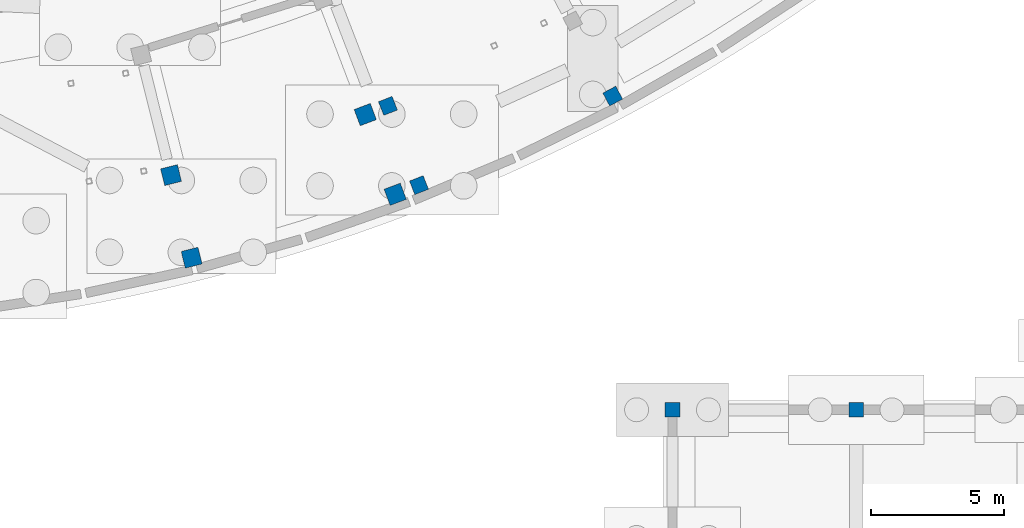
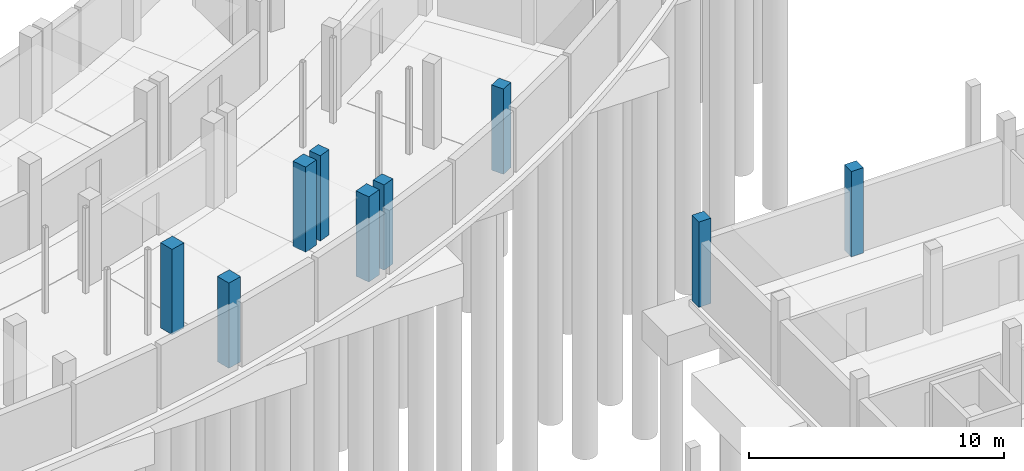
# One storey, part 18 of 58: 9 columns.
"""IFC4 building model written with IfcOpenShell, lengths in metres."""

from ifc_helpers import new_model, si_unit, direction, frame, origin, origin_2d, place, context, subcontext, project, spatial, rectangle, extrude, material, material_profile, profile_set, type_object, element, save


model = new_model("IFC4")

# Units and contexts
model_context = context("Model", 3, precision=1e-05, world=origin(), true_north=direction((0.0, 1.0)))
body_context = subcontext(model_context, "Body", "Model", "MODEL_VIEW")
ifc_project = project(units=[si_unit("LENGTHUNIT", "METRE"), si_unit("AREAUNIT", "SQUARE_METRE"), si_unit("VOLUMEUNIT", "CUBIC_METRE"), si_unit("PLANEANGLEUNIT", "RADIAN"), si_unit("MASSUNIT", "GRAM", prefix="KILO")], contexts=[model_context])

# Site, building, storey
site_placement = place(None, origin())
site = spatial("IfcSite", under=ifc_project, at=site_placement, CompositionType="ELEMENT")
building_placement = place(site_placement, origin())
building = spatial("IfcBuilding", under=site, at=building_placement, Name="Caldaven Crescent School", CompositionType="ELEMENT")
storey_placement = place(building_placement, frame((0.0, 0.0, -4.080078125)))
storey = spatial("IfcBuildingStorey", under=building, at=storey_placement, Name="B1", CompositionType="ELEMENT", Elevation=-4.080078125)

# Columns
ifc_material = material(Name="Concrete C35/45", Category="concrete")
ifc_material_profile_1 = material_profile(ifc_material, rectangle(XDim=0.550048828125, YDim=0.550048828125, at=origin_2d()), Name="RC 550x550")
ifc_profile_set_1 = profile_set([ifc_material_profile_1], Name="Concrete C35/45")
column_type_1 = type_object("IfcColumnType", Name="COL-RC55", PredefinedType="COLUMN", material=ifc_profile_set_1)
for number, where, z_axis, x_axis, name in (
    (1, (122.89990234375, 22.800048828125, 0.0), (0.0, 0.0, 1.0), (1.0, 0.0, 0.0), "COL-V3-B1-0-3"),
    (2, (129.800048828125, 22.800048828125, 0.0), (0.0, 0.0, 1.0), (1.0, 0.0, 0.0), "COL-V3-B1-1-3"),
    (3, (112.20361328125, 34.22216796875, 0.0), (0.0, 0.0, 1.0), (0.364714278886, -0.931119484694, 0.0), "COL-V4E-B1-00-3"),
    (4, (113.370849609375, 31.24267578125, 0.0), (0.0, 0.0, 1.0), (0.364714278886, -0.931119484694, 0.0), "COL-V4E-B1-00-4"),
    (5, (120.65185546875, 34.591064453125, 0.0), (0.0, 0.0, 1.0), (0.469471562786, -0.882947592859, 0.0), "COL-V4E-B1-01-4"),
):
    element("IfcColumn", number, at=place(storey_placement, frame(where, z_axis=z_axis, x_axis=x_axis)), inside=storey, type_object=column_type_1, Name=name, PredefinedType="COLUMN", context=body_context, shape_type="SweptSolid", body=[
        extrude(rectangle(XDim=0.550048828125, YDim=0.550048828125, at=origin_2d()), origin(), (0.0, 0.0, 1.0), 4.080078125),
    ])
ifc_material_profile_2 = material_profile(ifc_material, rectangle(XDim=0.64990234375, YDim=0.64990234375, at=origin_2d()), Name="RC 650x650")
ifc_profile_set_2 = profile_set([ifc_material_profile_2], Name="Concrete C35/45")
column_type_2 = type_object("IfcColumnType", Name="COL-RC65", PredefinedType="COLUMN", material=ifc_profile_set_2)
for number, where, z_axis, x_axis, name in (
    (6, (104.051513671875, 31.620849609375, 0.0), (0.0, 0.0, 1.0), (0.2419218956, -0.970295726276, 0.0), "COL-V5-B1-05-3"),
    (7, (104.82568359375, 28.515869140625, 0.0), (0.0, 0.0, 1.0), (0.2419218956, -0.970295726276, 0.0), "COL-V5-B1-05-4"),
    (8, (111.3505859375, 33.894775390625, 0.0), (0.0, 0.0, 1.0), (0.352005016254, -0.93599811353, 0.0), "COL-V5-B1-06-3"),
    (9, (112.476806640625, 30.8994140625, 0.0), (0.0, 0.0, 1.0), (0.352005016254, -0.93599811353, 0.0), "COL-V5-B1-06-4"),
):
    element("IfcColumn", number, at=place(storey_placement, frame(where, z_axis=z_axis, x_axis=x_axis)), inside=storey, type_object=column_type_2, Name=name, PredefinedType="COLUMN", context=body_context, shape_type="SweptSolid", body=[
        extrude(rectangle(XDim=0.64990234375, YDim=0.64990234375, at=origin_2d()), origin(), (0.0, 0.0, 1.0), 4.080078125),
    ])

save(model, "model.ifc")
